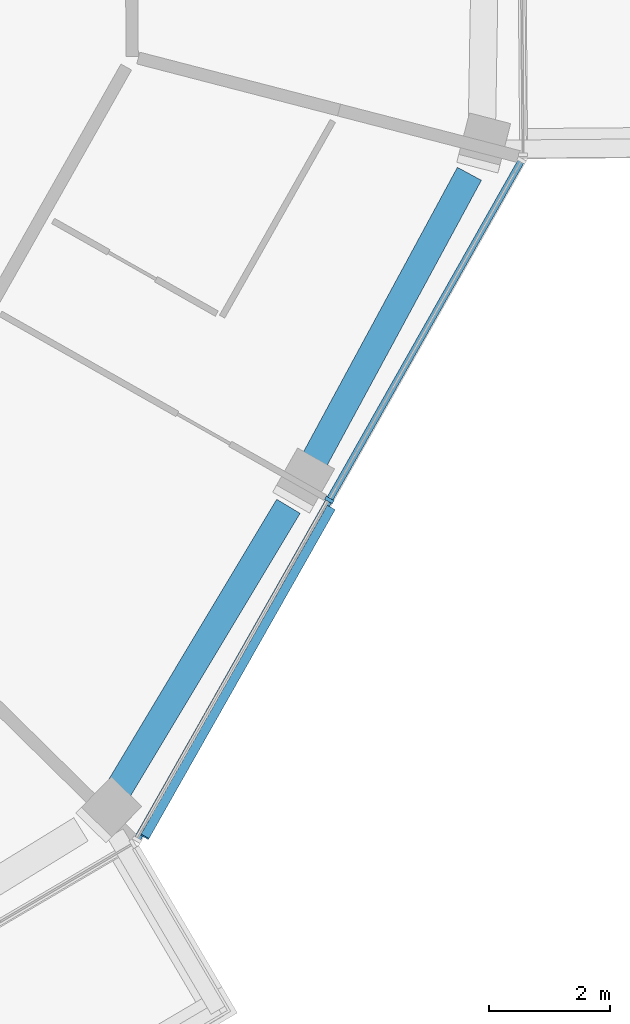
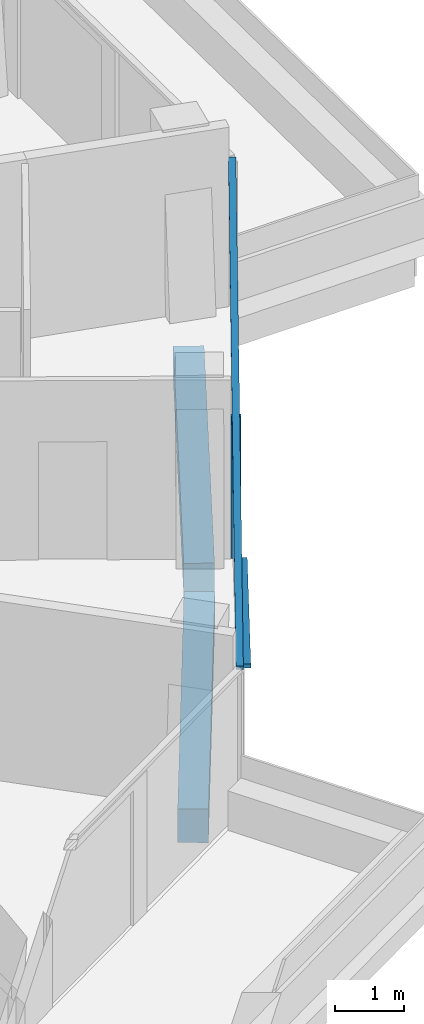
# One storey, part 5 of 26: 3 members, 2 beams, 1 element without a shape of its own.
"""IFC4 building model written with IfcOpenShell, lengths in metres."""

from ifc_helpers import new_model, si_unit, direction, frame, origin, origin_2d, place, context, subcontext, project, spatial, rectangle, extrude, material, layer, layer_set, material_profile, profile_set, type_object, element, aggregate, save


model = new_model("IFC4")

# Units and contexts
model_context = context("Model", 3, precision=1e-05, world=origin(), true_north=direction((0.0, 1.0)))
body_context = subcontext(model_context, "Body", "Model", "MODEL_VIEW")
ifc_project = project(units=[si_unit("LENGTHUNIT", "METRE"), si_unit("AREAUNIT", "SQUARE_METRE"), si_unit("VOLUMEUNIT", "CUBIC_METRE"), si_unit("PLANEANGLEUNIT", "RADIAN"), si_unit("MASSUNIT", "GRAM", prefix="KILO")], contexts=[model_context])

# Site, building, storey
site_placement = place(None, origin())
site = spatial("IfcSite", under=ifc_project, at=site_placement, CompositionType="ELEMENT")
building_placement = place(site_placement, origin())
building = spatial("IfcBuilding", under=site, at=building_placement, Name="Verdalira Terraces Hotel", CompositionType="ELEMENT")
storey_placement = place(building_placement, frame((0.0, 0.0, 281.0)))
storey = spatial("IfcBuildingStorey", under=building, at=storey_placement, Name="L69", CompositionType="ELEMENT", Elevation=281.0)

# Curtain wall, members
ifc_material_1 = material(Name="Clear glass", Category="glass")
ifc_layer = layer(ifc_material_1, 0.14990234375)
ifc_layer_set = layer_set([ifc_layer], Name="CW1 curtain wall")
curtain_wall_type = type_object("IfcCurtainWallType", Name="CW1 curtain wall", PredefinedType="NOTDEFINED", material=ifc_layer_set)
curtain_wall_placement = place(storey_placement, origin())
curtain_wall = element("IfcCurtainWall", 1, at=curtain_wall_placement, inside=storey, type_object=curtain_wall_type, Name="CW1 curtain wall L69 edge 26", PredefinedType="NOTDEFINED")
ifc_material_2 = material(Name="Terracotta frame", Category="masonry")
ifc_material_profile_1 = material_profile(ifc_material_2, rectangle(XDim=0.060059, YDim=0.149902, at=origin_2d()), Name="MU 60x150")
ifc_profile_set_1 = profile_set([ifc_material_profile_1], Name="Terracotta frame")
member_type_1 = type_object("IfcMemberType", Name="CW1 mullion 60x150", PredefinedType="MULLION", material=ifc_profile_set_1)
member_1_placement = place(storey_placement, frame((21.043945, -11.915771, 0.0), z_axis=(0.0, 0.0, 1.0), x_axis=(0.492727342, 0.870183755, 0.0)))
member_1 = element("IfcMember", 2, at=member_1_placement, type_object=member_type_1, Name="CW1 mullion", PredefinedType="MULLION", context=body_context, shape_type="SweptSolid", body=[
    extrude(rectangle(XDim=0.060059, YDim=0.149902, at=origin_2d()), origin(), (0.0, 0.0, 1.0), 2.524902),
])
ifc_material_3 = material(Name="Terracotta frame", Category="masonry")
ifc_material_profile_2 = material_profile(ifc_material_3, rectangle(XDim=0.110107, YDim=0.064941, at=origin_2d()), Name="TR 65x110")
ifc_profile_set_2 = profile_set([ifc_material_profile_2], Name="Terracotta frame")
member_type_2 = type_object("IfcMemberType", Name="CW1 transom 65x110", PredefinedType="USERDEFINED", material=ifc_profile_set_2)
member_2_placement = place(storey_placement, frame((17.861084, -17.537109, 2.557617), z_axis=(0.492720269, 0.87018776, 0.0), x_axis=(-0.87018776, 0.492720269, 0.0)))
member_2 = element("IfcMember", 3, at=member_2_placement, type_object=member_type_2, Name="CW1 transom", ObjectType="TRANSOM", PredefinedType="USERDEFINED", context=body_context, shape_type="SweptSolid", body=[
    extrude(rectangle(XDim=0.110107, YDim=0.064941, at=origin_2d()), origin(), (0.0, 0.0, 1.0), 12.919434),
])
ifc_material_4 = material(Name="Terracotta frame", Category="masonry")
ifc_material_profile_3 = material_profile(ifc_material_4, rectangle(XDim=0.149902, YDim=0.060059, at=origin_2d()), Name="GB 60x150")
ifc_profile_set_3 = profile_set([ifc_material_profile_3], Name="Terracotta frame")
member_type_3 = type_object("IfcMemberType", Name="Diagonal glazing bar 60x150", PredefinedType="USERDEFINED", material=ifc_profile_set_3)
member_3_placement = place(storey_placement, frame((18.003662, -17.46582, 2.496338), z_axis=(0.45804699, 0.808946566, -0.368508355), x_axis=(-0.870186427, 0.492722622, 0.0)))
member_3 = element("IfcMember", 4, at=member_3_placement, type_object=member_type_3, Name="Diagonal glazing bar", ObjectType="GLAZING BAR", PredefinedType="USERDEFINED", context=body_context, shape_type="SweptSolid", body=[
    extrude(rectangle(XDim=0.149902, YDim=0.060059, at=origin_2d()), origin(), (0.0, 0.0, 1.0), 6.696777),
])
aggregate(curtain_wall, [member_1, member_2, member_3])

# Beams
ifc_material_5 = material(Name="Concrete C40", Category="concrete")
ifc_material_profile_4 = material_profile(ifc_material_5, rectangle(XDim=0.449951, YDim=0.600098, at=origin_2d()), Name="RC 450X600")
ifc_profile_set_4 = profile_set([ifc_material_profile_4], Name="Concrete C40")
beam_type = type_object("IfcBeamType", Name="Spandrel beam RC 450X600 C40", PredefinedType="SPANDREL", material=ifc_profile_set_4)
beam_1_placement = place(storey_placement, frame((17.529297, -16.756348, -0.610107), z_axis=(0.514456757, 0.857516323, 0.0), x_axis=(-0.857516323, 0.514456757, 0.0)))
element("IfcBeam", 5, at=beam_1_placement, inside=storey, type_object=beam_type, Name="Spandrel beam B15", PredefinedType="SPANDREL", context=body_context, shape_type="SweptSolid", body=[
    extrude(rectangle(XDim=0.449951, YDim=0.600098, at=origin_2d()), origin(), (0.0, 0.0, 1.0), 5.523926),
])
beam_2_placement = place(storey_placement, frame((20.725098, -11.398193, -0.610107), z_axis=(0.475828679, 0.879537985, 0.0), x_axis=(-0.879537985, 0.475828679, 0.0)))
element("IfcBeam", 6, at=beam_2_placement, inside=storey, type_object=beam_type, Name="Spandrel beam B16", PredefinedType="SPANDREL", context=body_context, shape_type="SweptSolid", body=[
    extrude(rectangle(XDim=0.449951, YDim=0.600098, at=origin_2d()), origin(), (0.0, 0.0, 1.0), 5.52124),
])

save(model, "model.ifc")
